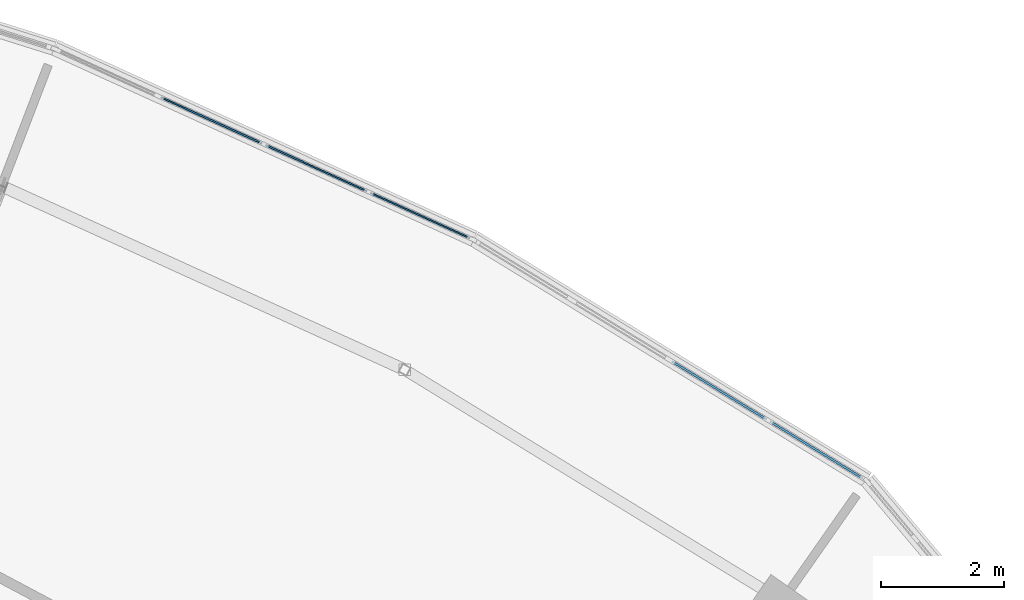
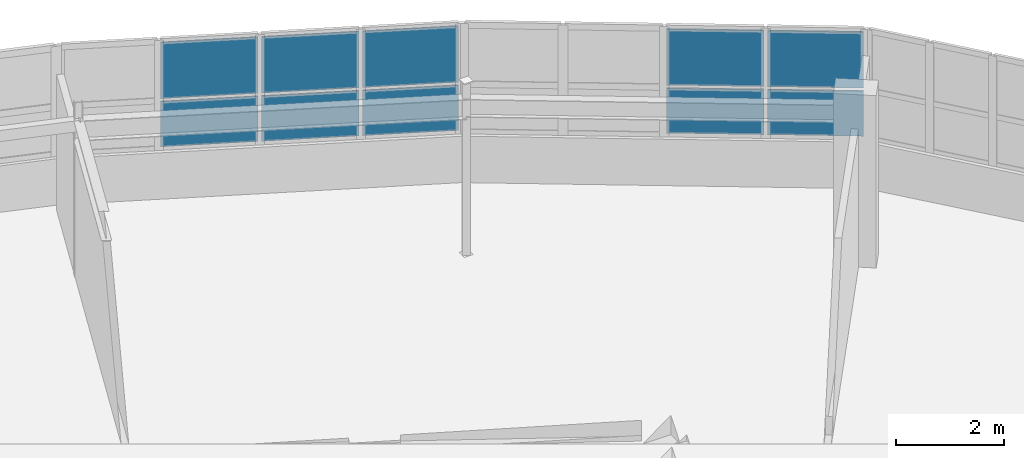
# One storey, part 45 of 60: 10 plates, 2 elements without a shape of their own.
"""IFC4 building model written with IfcOpenShell, lengths in metres."""

import ifcopenshell
import ifcopenshell.guid

model = None  # the IFC model being written
_history = None  # IfcOwnerHistory: only IFC2X3 demands one
_inside = {}  # id of a spatial element -> (the spatial element, [elements in it])
_under = {}  # id of a project, library or spatial element -> (it, [spatial elements below it])
_declared = {}  # id of a project -> (the project, [libraries it declares])
_typed = {}  # id of a type object -> (the type object, [elements of that type])
_made_of = {}  # id of a material, layer set ... -> (it, [elements and type objects made of it])


def new_model(schema):
    """Start an empty IFC model of exactly this schema.

    Asked for "IFC4X3", IfcOpenShell would pick the latest addendum, in which some entities
    have other attributes; the version numbers below select the first issue.
    IFC2X3 requires an IfcOwnerHistory on every rooted entity: one is made here for all.
    """
    global model, _history
    if schema == "IFC4X3":
        model = ifcopenshell.file(schema_version=(4, 3, 0, 0))
    else:
        model = ifcopenshell.file(schema=schema)
    _inside.clear()
    _under.clear()
    _declared.clear()
    _typed.clear()
    _made_of.clear()
    _history = None
    if model.schema == "IFC2X3":
        org = make("IfcOrganization", Name="unknown")
        user = make(
            "IfcPersonAndOrganization",
            ThePerson=make("IfcPerson", FamilyName="unknown"),
            TheOrganization=org,
        )
        app = make(
            "IfcApplication",
            ApplicationDeveloper=org,
            Version="unknown",
            ApplicationFullName="unknown",
            ApplicationIdentifier="unknown",
        )
        _history = make(
            "IfcOwnerHistory",
            OwningUser=user,
            OwningApplication=app,
            ChangeAction="ADDED",
            CreationDate=0,
        )
    return model


def make(cls, **values):
    """One entity of the class cls with the attributes given. An attribute that is None is left unset."""
    return model.create_entity(
        cls, **{name: value for name, value in values.items() if value is not None}
    )


def rooted(cls, **values):
    """An entity with a GlobalId (a new one), such as an element, a storey or a relation."""
    return make(cls, GlobalId=ifcopenshell.guid.new(), OwnerHistory=_history, **values)


def si_unit(unit_type, name, prefix=None):
    """IfcSIUnit, for example si_unit("LENGTHUNIT", "METRE", prefix="MILLI")."""
    return make("IfcSIUnit", UnitType=unit_type, Prefix=prefix, Name=name)


def assignment(units):
    """IfcUnitAssignment: the units of a project."""
    return None if units is None else make("IfcUnitAssignment", Units=units)


def point(xyz):
    """IfcCartesianPoint."""
    return None if xyz is None else make("IfcCartesianPoint", Coordinates=xyz)


def direction(xyz):
    """IfcDirection."""
    return None if xyz is None else make("IfcDirection", DirectionRatios=xyz)


def frame(location, z_axis=None, x_axis=None):
    """IfcAxis2Placement3D, a coordinate frame: its origin and axes. An axis left out is left unset."""
    return make(
        "IfcAxis2Placement3D",
        Location=point(location),
        Axis=direction(z_axis),
        RefDirection=direction(x_axis),
    )


def frame_2d(location, x_axis=None):
    """IfcAxis2Placement2D, a coordinate frame in the plane: its origin and x axis."""
    return make(
        "IfcAxis2Placement2D", Location=point(location), RefDirection=direction(x_axis)
    )


def origin():
    """The frame at (0, 0, 0) with its axes left unset."""
    return frame((0.0, 0.0, 0.0))


def origin_2d():
    """The frame at (0, 0) in the plane with its x axis left unset."""
    return frame_2d((0.0, 0.0))


def place(relative_to, where):
    """IfcLocalPlacement: puts the frame where relative to a parent placement (None: the world)."""
    return make(
        "IfcLocalPlacement", PlacementRelTo=relative_to, RelativePlacement=where
    )


def context(
    kind, dimensions, precision=None, world=None, true_north=None, identifier=None
):
    """IfcGeometricRepresentationContext, for example the 3D "Model" context."""
    return make(
        "IfcGeometricRepresentationContext",
        ContextIdentifier=identifier,
        ContextType=kind,
        CoordinateSpaceDimension=dimensions,
        Precision=precision,
        WorldCoordinateSystem=world,
        TrueNorth=true_north,
    )


def subcontext(parent, identifier, kind, view, scale=None):
    """IfcGeometricRepresentationSubContext, for example "Body" below "Model"."""
    return make(
        "IfcGeometricRepresentationSubContext",
        ContextIdentifier=identifier,
        ContextType=kind,
        ParentContext=parent,
        TargetScale=scale,
        TargetView=view,
    )


def project(units=None, contexts=None):
    """IfcProject with its units and contexts."""
    return rooted(
        "IfcProject",
        Name="project",
        RepresentationContexts=contexts,
        UnitsInContext=assignment(units),
    )


def spatial(cls, under=None, at=None, **own):
    """A site, building, storey or space (cls), placed at a placement, below another one or the project."""
    s = rooted(cls, ObjectPlacement=at, **own)
    if under is not None:
        _under.setdefault(under.id(), (under, []))[1].append(s)
    return s


def profile(cls, at=None, kind="AREA", **sizes):
    """A parametric profile (cls). Its sizes go by their IFC names, for example OverallWidth=200.0."""
    return make(cls, ProfileType=kind, Position=at, **sizes)


def rectangle(**sizes):
    """IfcRectangleProfileDef."""
    return profile("IfcRectangleProfileDef", **sizes)


def extrude(swept, where, along, depth):
    """IfcExtrudedAreaSolid: the profile swept, set in the frame where, extruded along a direction by depth."""
    return make(
        "IfcExtrudedAreaSolid",
        SweptArea=swept,
        Position=where,
        ExtrudedDirection=direction(along),
        Depth=depth,
    )


def shape(context_of_items, identifier, shape_type, items):
    """IfcShapeRepresentation: the items that make up one representation, for example the "Body"."""
    return make(
        "IfcShapeRepresentation",
        ContextOfItems=context_of_items,
        RepresentationIdentifier=identifier,
        RepresentationType=shape_type,
        Items=items,
    )


def material(Name=None, Category=None):
    """IfcMaterial."""
    return make("IfcMaterial", Name=Name, Category=Category)


def layer(
    of_material, thickness, ventilated=None, Name=None, Category=None, Priority=None
):
    """IfcMaterialLayer: one layer of a wall or slab, of a material (None: an air gap)."""
    return make(
        "IfcMaterialLayer",
        Material=of_material,
        LayerThickness=thickness,
        IsVentilated=ventilated,
        Name=Name,
        Category=Category,
        Priority=Priority,
    )


def layer_set(layers, Name=None):
    """IfcMaterialLayerSet."""
    return make("IfcMaterialLayerSet", MaterialLayers=layers, LayerSetName=Name)


def made_of(thing, what):
    """Note that an element or type object is made of a material, layer set ...; save() writes the relation."""
    if what is not None:
        _made_of.setdefault(what.id(), (what, []))[1].append(thing)
    return thing


def type_object(cls, material=None, **own):
    """A type object (cls), such as IfcWallType, which elements share."""
    return made_of(rooted(cls, **own), material)


def element(
    cls,
    number,
    at=None,
    inside=None,
    cuts=None,
    type_object=None,
    material=None,
    context=None,
    identifier="Body",
    shape_type=None,
    held_by="IfcProductDefinitionShape",
    body=None,
    shapes=None,
    **own,
):
    """One element of the class cls, such as IfcWall. Its Tag is "e" and its number.

    at: its placement. inside: the storey or other place that contains it. cuts: it is an
    opening in that element (IfcRelVoidsElement). A single representation is given by context,
    identifier, shape_type and body (its items); several are given by shapes. held_by: the class
    of the entity that holds the representations. save() writes the other relations.
    """
    e = rooted(cls, Tag="e%d" % number, ObjectPlacement=at, **own)
    if body is not None:
        shapes = [shape(context, identifier, shape_type, body)]
    if shapes is not None:
        e.Representation = make(held_by, Representations=shapes)
    if inside is not None:
        _inside.setdefault(inside.id(), (inside, []))[1].append(e)
    if cuts is not None:
        rooted(
            "IfcRelVoidsElement", RelatingBuildingElement=cuts, RelatedOpeningElement=e
        )
    if type_object is not None:
        _typed.setdefault(type_object.id(), (type_object, []))[1].append(e)
    return made_of(e, material)


def aggregate(whole, parts):
    """IfcRelAggregates: a whole, such as a stair, and the parts it consists of."""
    return rooted("IfcRelAggregates", RelatingObject=whole, RelatedObjects=parts)


def save(model, path):
    """Write the relations noted so far, then the file.

    IfcRelAggregates (storeys below a building ...), IfcRelContainedInSpatialStructure (elements
    in a storey), IfcRelDefinesByType, IfcRelAssociatesMaterial and IfcRelDeclares: one each for
    every whole, place, type object, material and project.
    """
    for whole, parts in _under.values():
        aggregate(whole, parts)
    for where, things in _inside.values():
        rooted(
            "IfcRelContainedInSpatialStructure",
            RelatedElements=things,
            RelatingStructure=where,
        )
    for kind, things in _typed.values():
        rooted("IfcRelDefinesByType", RelatedObjects=things, RelatingType=kind)
    for what, things in _made_of.values():
        rooted("IfcRelAssociatesMaterial", RelatedObjects=things, RelatingMaterial=what)
    for by, libraries in _declared.values():
        rooted("IfcRelDeclares", RelatingContext=by, RelatedDefinitions=libraries)
    model.write(path)


model = new_model("IFC4")

# Units and contexts
model_context = context("Model", 3, precision=1e-05, world=origin(), true_north=direction((0.0, 1.0)))
body_context = subcontext(model_context, "Body", "Model", "MODEL_VIEW")
ifc_project = project(units=[si_unit("LENGTHUNIT", "METRE"), si_unit("AREAUNIT", "SQUARE_METRE"), si_unit("VOLUMEUNIT", "CUBIC_METRE"), si_unit("PLANEANGLEUNIT", "RADIAN"), si_unit("MASSUNIT", "GRAM", prefix="KILO")], contexts=[model_context])

# Site, building, storey
site_placement = place(None, origin())
site = spatial("IfcSite", under=ifc_project, at=site_placement, CompositionType="ELEMENT")
building_placement = place(site_placement, origin())
building = spatial("IfcBuilding", under=site, at=building_placement, Name="Tarnwether General Hospital", CompositionType="ELEMENT")
storey_placement = place(building_placement, frame((0.0, 0.0, 26.10009765625)))
storey = spatial("IfcBuildingStorey", under=building, at=storey_placement, Name="L06", CompositionType="ELEMENT", Elevation=26.10009765625)

# Curtain wall, plates
ifc_material_1 = material(Name="Anodised aluminium", Category="aluminium")
ifc_layer_1 = layer(ifc_material_1, 0.179931640625)
ifc_layer_set_1 = layer_set([ifc_layer_1], Name="Anodised aluminium")
curtain_wall_type = type_object("IfcCurtainWallType", Name="CW-06", PredefinedType="NOTDEFINED", material=ifc_layer_set_1)
curtain_wall_1_placement = place(storey_placement, origin())
curtain_wall_1 = element("IfcCurtainWall", 1, at=curtain_wall_1_placement, inside=storey, type_object=curtain_wall_type, Name="Curtain Wall CWG-L06-1141_1205-0119", PredefinedType="NOTDEFINED")
ifc_material_2 = material(Name="Double glazed low-E glass", Category="glass")
ifc_layer_2 = layer(ifc_material_2, 0.028076171875)
ifc_layer_set_2 = layer_set([ifc_layer_2], Name="Double glazed low-E glass")
plate_type_1 = type_object("IfcPlateType", Name="PT-CWP1", PredefinedType="CURTAIN_PANEL", material=ifc_layer_set_2)
plate_1_placement = place(storey_placement, frame((116.6416015625, 119.33935546875, 1.11474609375), z_axis=(0.0, 0.0, 1.0), x_axis=(0.909960793886, -0.414694289316, 0.0)))
plate_1 = element("IfcPlate", 2, at=plate_1_placement, type_object=plate_type_1, Name="CW-06 panel 2.1", PredefinedType="CURTAIN_PANEL", context=body_context, shape_type="SweptSolid", body=[
    extrude(rectangle(XDim=1.815185546875, YDim=0.028076171875, at=origin_2d()), origin(), (0.0, 0.0, 1.0), 1.025390625),
])
plate_2_placement = place(storey_placement, frame((116.6416015625, 119.33935546875, 2.205078125), z_axis=(0.0, 0.0, 1.0), x_axis=(0.909960793886, -0.414694289316, 0.0)))
plate_2 = element("IfcPlate", 3, at=plate_2_placement, type_object=plate_type_1, Name="CW-06 panel 2.2", PredefinedType="CURTAIN_PANEL", context=body_context, shape_type="SweptSolid", body=[
    extrude(rectangle(XDim=1.815185546875, YDim=0.028076171875, at=origin_2d()), origin(), (0.0, 0.0, 1.0), 1.274658203125),
])
plate_3_placement = place(storey_placement, frame((118.3525390625, 118.5595703125, 1.11474609375), z_axis=(0.0, 0.0, 1.0), x_axis=(0.909960793886, -0.414694289316, 0.0)))
plate_3 = element("IfcPlate", 4, at=plate_3_placement, type_object=plate_type_1, Name="CW-06 panel 3.1", PredefinedType="CURTAIN_PANEL", context=body_context, shape_type="SweptSolid", body=[
    extrude(rectangle(XDim=1.815185546875, YDim=0.028076171875, at=origin_2d()), origin(), (0.0, 0.0, 1.0), 1.025390625),
])
plate_4_placement = place(storey_placement, frame((118.3525390625, 118.5595703125, 2.205078125), z_axis=(0.0, 0.0, 1.0), x_axis=(0.909960793886, -0.414694289316, 0.0)))
plate_4 = element("IfcPlate", 5, at=plate_4_placement, type_object=plate_type_1, Name="CW-06 panel 3.2", PredefinedType="CURTAIN_PANEL", context=body_context, shape_type="SweptSolid", body=[
    extrude(rectangle(XDim=1.815185546875, YDim=0.028076171875, at=origin_2d()), origin(), (0.0, 0.0, 1.0), 1.274658203125),
])
plate_5_placement = place(storey_placement, frame((120.048828125, 117.78662109375, 1.11474609375), z_axis=(0.0, 0.0, 1.0), x_axis=(0.909960793886, -0.414694289316, 0.0)))
plate_5 = element("IfcPlate", 6, at=plate_5_placement, type_object=plate_type_1, Name="CW-06 panel 4.1", PredefinedType="CURTAIN_PANEL", context=body_context, shape_type="SweptSolid", body=[
    extrude(rectangle(XDim=1.78271484375, YDim=0.028076171875, at=origin_2d()), origin(), (0.0, 0.0, 1.0), 1.025390625),
])
plate_6_placement = place(storey_placement, frame((120.048828125, 117.78662109375, 2.205078125), z_axis=(0.0, 0.0, 1.0), x_axis=(0.909960793886, -0.414694289316, 0.0)))
plate_6 = element("IfcPlate", 7, at=plate_6_placement, type_object=plate_type_1, Name="CW-06 panel 4.2", PredefinedType="CURTAIN_PANEL", context=body_context, shape_type="SweptSolid", body=[
    extrude(rectangle(XDim=1.78271484375, YDim=0.028076171875, at=origin_2d()), origin(), (0.0, 0.0, 1.0), 1.274658203125),
])
aggregate(curtain_wall_1, [plate_1, plate_2, plate_3, plate_4, plate_5, plate_6])

curtain_wall_2_placement = place(storey_placement, origin())
curtain_wall_2 = element("IfcCurtainWall", 8, at=curtain_wall_2_placement, inside=storey, type_object=curtain_wall_type, Name="Curtain Wall CWG-L06-1209_1174-0118", PredefinedType="NOTDEFINED")
ifc_material_3 = material(Name="Double glazed low-E glass", Category="glass")
ifc_layer_3 = layer(ifc_material_3, 0.035888671875)
ifc_layer_set_3 = layer_set([ifc_layer_3], Name="Double glazed low-E glass")
plate_type_2 = type_object("IfcPlateType", Name="PT-CWP2", PredefinedType="CURTAIN_PANEL", material=ifc_layer_set_3)
plate_7_placement = place(storey_placement, frame((124.92724609375, 114.933837890625, 1.1201171875), z_axis=(0.0, 0.0, 1.0), x_axis=(0.852633734977, -0.522509056361, 0.0)))
plate_7 = element("IfcPlate", 9, at=plate_7_placement, type_object=plate_type_2, Name="CW-06 panel 3.1", PredefinedType="CURTAIN_PANEL", context=body_context, shape_type="SweptSolid", body=[
    extrude(rectangle(XDim=1.810302734375, YDim=0.035888671875, at=origin_2d()), origin(), (0.0, 0.0, 1.0), 1.017822265625),
])
plate_8_placement = place(storey_placement, frame((124.92724609375, 114.933837890625, 2.207763671875), z_axis=(0.0, 0.0, 1.0), x_axis=(0.852633734977, -0.522509056361, 0.0)))
plate_8 = element("IfcPlate", 10, at=plate_8_placement, type_object=plate_type_2, Name="CW-06 panel 3.2", PredefinedType="CURTAIN_PANEL", context=body_context, shape_type="SweptSolid", body=[
    extrude(rectangle(XDim=1.810302734375, YDim=0.035888671875, at=origin_2d()), origin(), (0.0, 0.0, 1.0), 1.26708984375),
])
plate_9_placement = place(storey_placement, frame((126.515380859375, 113.96044921875, 1.1201171875), z_axis=(0.0, 0.0, 1.0), x_axis=(0.852633734977, -0.522509056361, 0.0)))
plate_9 = element("IfcPlate", 11, at=plate_9_placement, type_object=plate_type_2, Name="CW-06 panel 4.1", PredefinedType="CURTAIN_PANEL", context=body_context, shape_type="SweptSolid", body=[
    extrude(rectangle(XDim=1.775390625, YDim=0.035888671875, at=origin_2d()), origin(), (0.0, 0.0, 1.0), 1.017822265625),
])
plate_10_placement = place(storey_placement, frame((126.515380859375, 113.96044921875, 2.207763671875), z_axis=(0.0, 0.0, 1.0), x_axis=(0.852633734977, -0.522509056361, 0.0)))
plate_10 = element("IfcPlate", 12, at=plate_10_placement, type_object=plate_type_2, Name="CW-06 panel 4.2", PredefinedType="CURTAIN_PANEL", context=body_context, shape_type="SweptSolid", body=[
    extrude(rectangle(XDim=1.775390625, YDim=0.035888671875, at=origin_2d()), origin(), (0.0, 0.0, 1.0), 1.26708984375),
])
aggregate(curtain_wall_2, [plate_7, plate_8, plate_9, plate_10])

save(model, "model.ifc")
